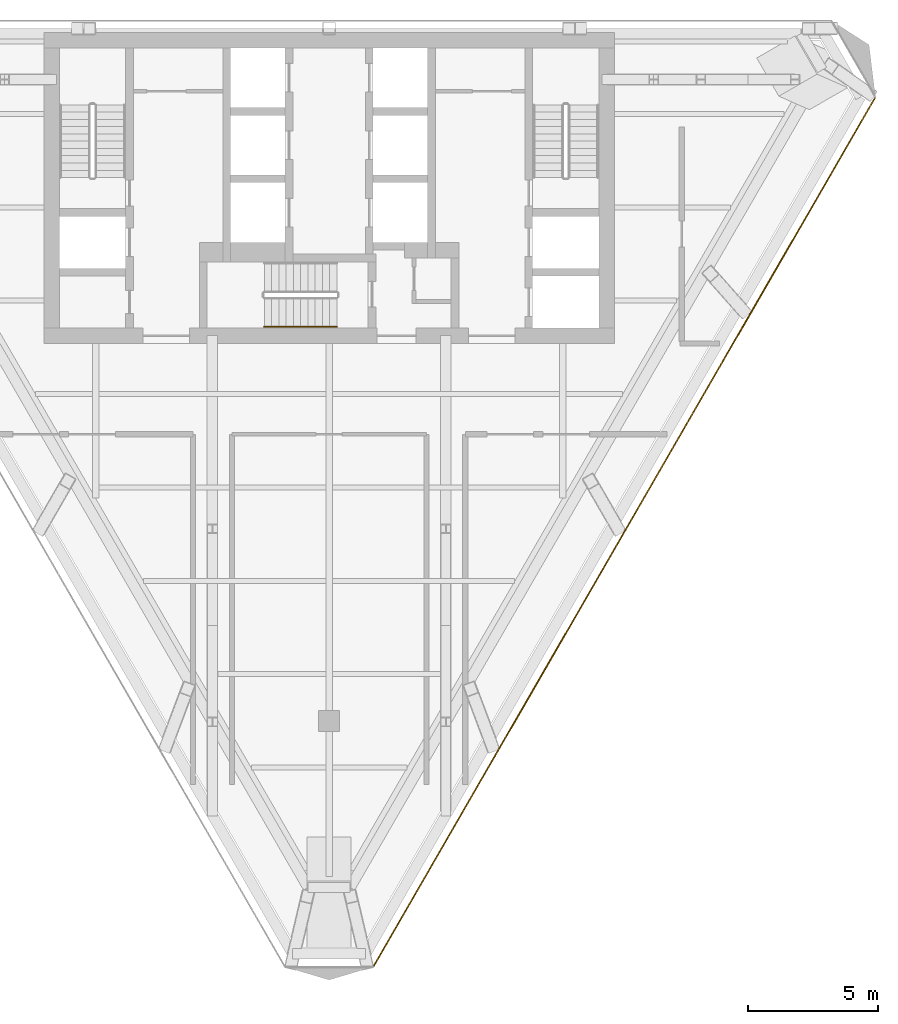
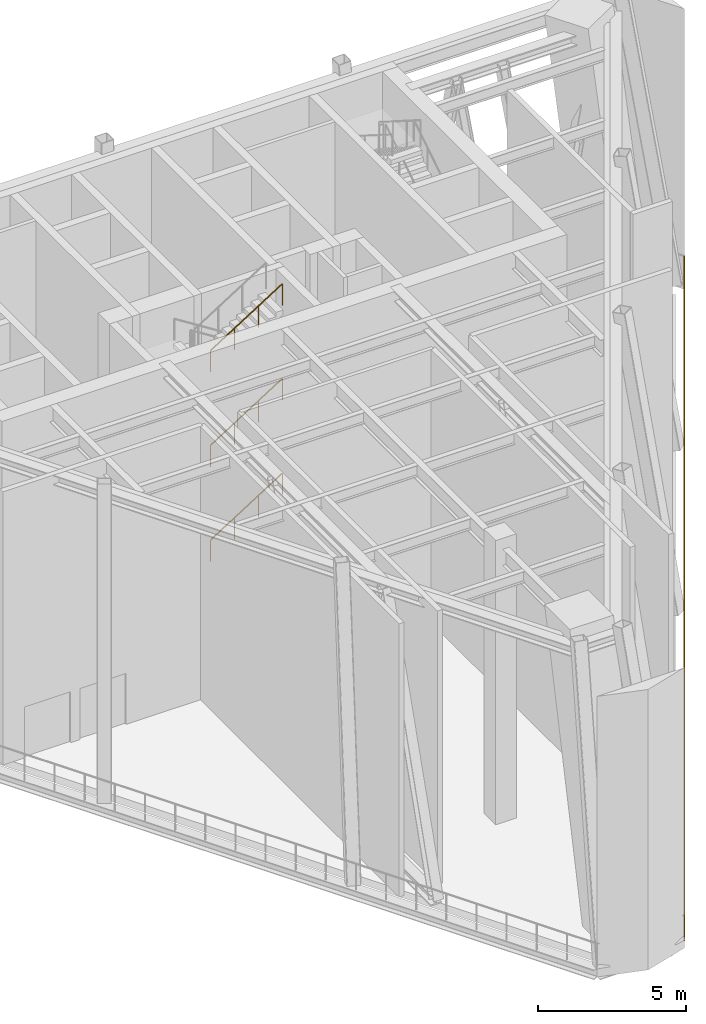
# One storey, part 8 of 11: 4 railings.
"""IFC4 building model written with IfcOpenShell, lengths in metres."""

from ifc_helpers import new_model, si_unit, direction, frame, origin, origin_2d, place, context, subcontext, project, spatial, circle, extrude, material, type_object, element, save


model = new_model("IFC4")

# Units and contexts
model_context = context("Model", 3, precision=1e-05, world=origin(), true_north=direction((0.0, 1.0)))
body_context = subcontext(model_context, "Body", "Model", "MODEL_VIEW")
ifc_project = project(units=[si_unit("LENGTHUNIT", "METRE"), si_unit("AREAUNIT", "SQUARE_METRE"), si_unit("VOLUMEUNIT", "CUBIC_METRE"), si_unit("PLANEANGLEUNIT", "RADIAN"), si_unit("MASSUNIT", "GRAM", prefix="KILO")], contexts=[model_context])

# Site, building, storey
site_placement = place(None, origin())
site = spatial("IfcSite", under=ifc_project, at=site_placement, CompositionType="ELEMENT")
building_placement = place(site_placement, origin())
building = spatial("IfcBuilding", under=site, at=building_placement, Name="Aloe Facet Convention Tower", CompositionType="ELEMENT")
storey_placement = place(building_placement, frame((0.0, 0.0, 227.0)))
storey = spatial("IfcBuildingStorey", under=building, at=storey_placement, Name="L57", CompositionType="ELEMENT", Elevation=227.0)

# Railings
ifc_material_1 = material(Name="Steel S355 handrail", Category="steel")
railing_type_1 = type_object("IfcRailingType", Name="CR-RL-HAND", PredefinedType="HANDRAIL", material=ifc_material_1)
for number, where, name in (
    (1, (77.5, 123.199951171875, 2.127197265625), "L57 ST3 stair handrail 2"),
    (2, (77.5, 123.199951171875, 6.02734375), "L57 ST3 stair handrail 4"),
    (3, (77.5, 123.199951171875, 9.92724609375), "L57 ST3 stair handrail 6"),
):
    element("IfcRailing", number, at=place(storey_placement, frame(where)), inside=storey, type_object=railing_type_1, Name=name, PredefinedType="HANDRAIL", context=body_context, shape_type="SweptSolid", body=[
        extrude(circle(Radius=0.02392578125, at=origin_2d()), frame((0.0, 0.0, 0.8759765625), z_axis=(0.844908973607, 0.0, 0.534910110503), x_axis=(0.0, 1.0, 0.0)), (0.0, 0.0, 1.0), 3.31396484375),
        extrude(circle(Radius=0.02099609375, at=origin_2d()), origin(), (0.0, 0.0, 1.0), 0.851806640625),
        extrude(circle(Radius=0.02099609375, at=origin_2d()), frame((0.933349609375, 0.0, 0.5908203125)), (0.0, 0.0, 1.0), 0.851806640625),
        extrude(circle(Radius=0.02099609375, at=origin_2d()), frame((1.86669921875, 0.0, 1.181884765625)), (0.0, 0.0, 1.0), 0.851806640625),
        extrude(circle(Radius=0.02099609375, at=origin_2d()), frame((2.800048828125, 0.0, 1.772705078125)), (0.0, 0.0, 1.0), 0.851806640625),
    ])
ifc_material_2 = material(Name="Steel S355", Category="steel")
railing_type_2 = type_object("IfcRailingType", Name="EV-GUARD-PORTAL", PredefinedType="GUARDRAIL", material=ifc_material_2)
railing_placement = place(storey_placement, frame((81.699951171875, 98.514892578125, 0.0)))
element("IfcRailing", 4, at=railing_placement, inside=storey, type_object=railing_type_2, Name="GUARD L57-5", PredefinedType="GUARDRAIL", context=body_context, shape_type="SweptSolid", body=[
    extrude(circle(Radius=0.02392578125, at=origin_2d()), frame((0.0, 0.0, 1.076171875), z_axis=(0.500002199942, 0.866024133644, 0.0), x_axis=(-0.866024133644, 0.500002199942, 0.0)), (0.0, 0.0, 1.0), 38.729248046875),
    extrude(circle(Radius=0.02099609375, at=origin_2d()), origin(), (0.0, 0.0, 1.0), 1.052001953125),
    extrude(circle(Radius=0.02099609375, at=origin_2d()), frame((0.5869140625, 1.016357421875, 0.0)), (0.0, 0.0, 1.0), 1.052001953125),
    extrude(circle(Radius=0.02099609375, at=origin_2d()), frame((1.173583984375, 2.03271484375, 0.0)), (0.0, 0.0, 1.0), 1.052001953125),
    extrude(circle(Radius=0.02099609375, at=origin_2d()), frame((1.760498046875, 3.049072265625, 0.0)), (0.0, 0.0, 1.0), 1.052001953125),
    extrude(circle(Radius=0.02099609375, at=origin_2d()), frame((2.34716796875, 4.0654296875, 0.0)), (0.0, 0.0, 1.0), 1.052001953125),
    extrude(circle(Radius=0.02099609375, at=origin_2d()), frame((2.93408203125, 5.081787109375, 0.0)), (0.0, 0.0, 1.0), 1.052001953125),
    extrude(circle(Radius=0.02099609375, at=origin_2d()), frame((3.520751953125, 6.098388671875, 0.0)), (0.0, 0.0, 1.0), 1.052001953125),
    extrude(circle(Radius=0.02099609375, at=origin_2d()), frame((4.107666015625, 7.11474609375, 0.0)), (0.0, 0.0, 1.0), 1.052001953125),
    extrude(circle(Radius=0.02099609375, at=origin_2d()), frame((4.694580078125, 8.131103515625, 0.0)), (0.0, 0.0, 1.0), 1.052001953125),
    extrude(circle(Radius=0.02099609375, at=origin_2d()), frame((5.28125, 9.1474609375, 0.0)), (0.0, 0.0, 1.0), 1.052001953125),
    extrude(circle(Radius=0.02099609375, at=origin_2d()), frame((5.8681640625, 10.163818359375, 0.0)), (0.0, 0.0, 1.0), 1.052001953125),
    extrude(circle(Radius=0.02099609375, at=origin_2d()), frame((6.454833984375, 11.18017578125, 0.0)), (0.0, 0.0, 1.0), 1.052001953125),
    extrude(circle(Radius=0.02099609375, at=origin_2d()), frame((7.041748046875, 12.196533203125, 0.0)), (0.0, 0.0, 1.0), 1.052001953125),
    extrude(circle(Radius=0.02099609375, at=origin_2d()), frame((7.62841796875, 13.212890625, 0.0)), (0.0, 0.0, 1.0), 1.052001953125),
    extrude(circle(Radius=0.02099609375, at=origin_2d()), frame((8.21533203125, 14.229248046875, 0.0)), (0.0, 0.0, 1.0), 1.052001953125),
    extrude(circle(Radius=0.02099609375, at=origin_2d()), frame((8.80224609375, 15.24560546875, 0.0)), (0.0, 0.0, 1.0), 1.052001953125),
    extrude(circle(Radius=0.02099609375, at=origin_2d()), frame((9.388916015625, 16.261962890625, 0.0)), (0.0, 0.0, 1.0), 1.052001953125),
    extrude(circle(Radius=0.02099609375, at=origin_2d()), frame((9.975830078125, 17.278564453125, 0.0)), (0.0, 0.0, 1.0), 1.052001953125),
    extrude(circle(Radius=0.02099609375, at=origin_2d()), frame((10.5625, 18.294921875, 0.0)), (0.0, 0.0, 1.0), 1.052001953125),
    extrude(circle(Radius=0.02099609375, at=origin_2d()), frame((11.1494140625, 19.311279296875, 0.0)), (0.0, 0.0, 1.0), 1.052001953125),
    extrude(circle(Radius=0.02099609375, at=origin_2d()), frame((11.736328125, 20.32763671875, 0.0)), (0.0, 0.0, 1.0), 1.052001953125),
    extrude(circle(Radius=0.02099609375, at=origin_2d()), frame((12.322998046875, 21.343994140625, 0.0)), (0.0, 0.0, 1.0), 1.052001953125),
    extrude(circle(Radius=0.02099609375, at=origin_2d()), frame((12.909912109375, 22.3603515625, 0.0)), (0.0, 0.0, 1.0), 1.052001953125),
    extrude(circle(Radius=0.02099609375, at=origin_2d()), frame((13.49658203125, 23.376708984375, 0.0)), (0.0, 0.0, 1.0), 1.052001953125),
    extrude(circle(Radius=0.02099609375, at=origin_2d()), frame((14.08349609375, 24.39306640625, 0.0)), (0.0, 0.0, 1.0), 1.052001953125),
    extrude(circle(Radius=0.02099609375, at=origin_2d()), frame((14.670166015625, 25.409423828125, 0.0)), (0.0, 0.0, 1.0), 1.052001953125),
    extrude(circle(Radius=0.02099609375, at=origin_2d()), frame((15.257080078125, 26.42578125, 0.0)), (0.0, 0.0, 1.0), 1.052001953125),
    extrude(circle(Radius=0.02099609375, at=origin_2d()), frame((15.843994140625, 27.442138671875, 0.0)), (0.0, 0.0, 1.0), 1.052001953125),
    extrude(circle(Radius=0.02099609375, at=origin_2d()), frame((16.4306640625, 28.458740234375, 0.0)), (0.0, 0.0, 1.0), 1.052001953125),
    extrude(circle(Radius=0.02099609375, at=origin_2d()), frame((17.017578125, 29.47509765625, 0.0)), (0.0, 0.0, 1.0), 1.052001953125),
    extrude(circle(Radius=0.02099609375, at=origin_2d()), frame((17.604248046875, 30.491455078125, 0.0)), (0.0, 0.0, 1.0), 1.052001953125),
    extrude(circle(Radius=0.02099609375, at=origin_2d()), frame((18.191162109375, 31.5078125, 0.0)), (0.0, 0.0, 1.0), 1.052001953125),
    extrude(circle(Radius=0.02099609375, at=origin_2d()), frame((18.77783203125, 32.524169921875, 0.0)), (0.0, 0.0, 1.0), 1.052001953125),
    extrude(circle(Radius=0.02099609375, at=origin_2d()), frame((19.36474609375, 33.54052734375, 0.0)), (0.0, 0.0, 1.0), 1.052001953125),
])

save(model, "model.ifc")
